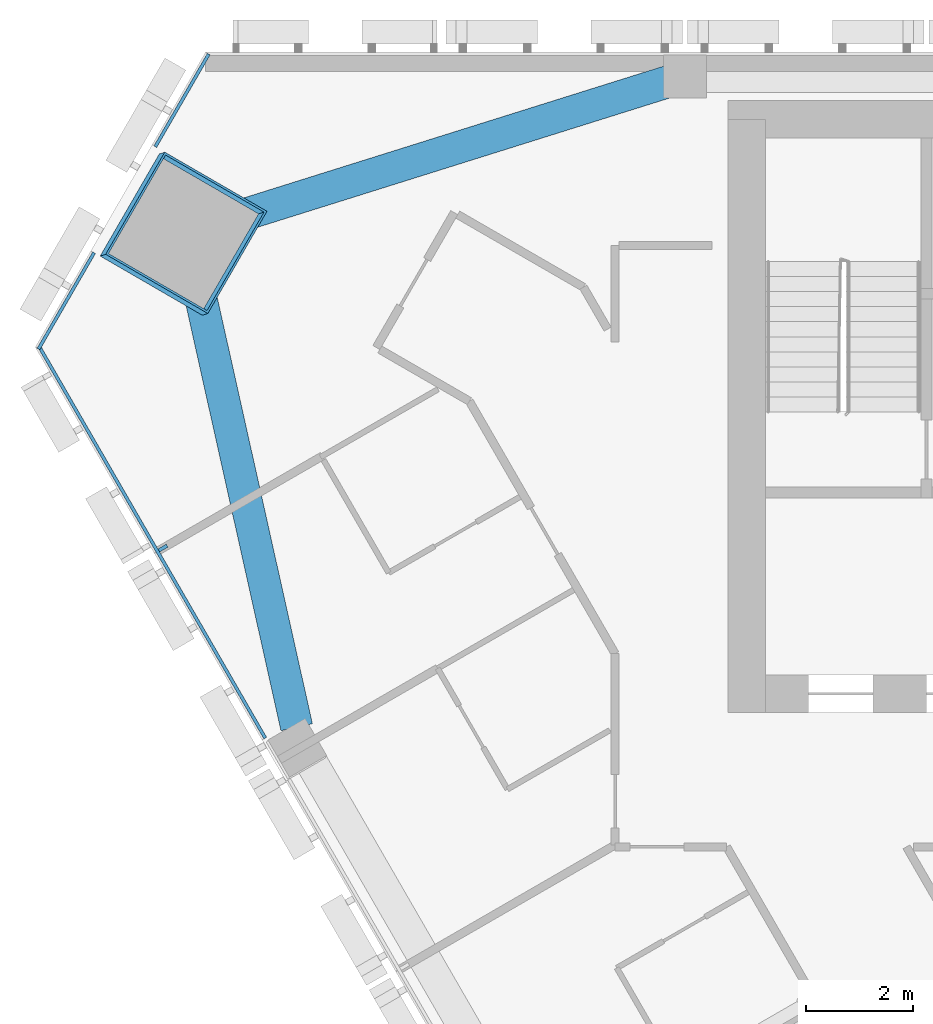
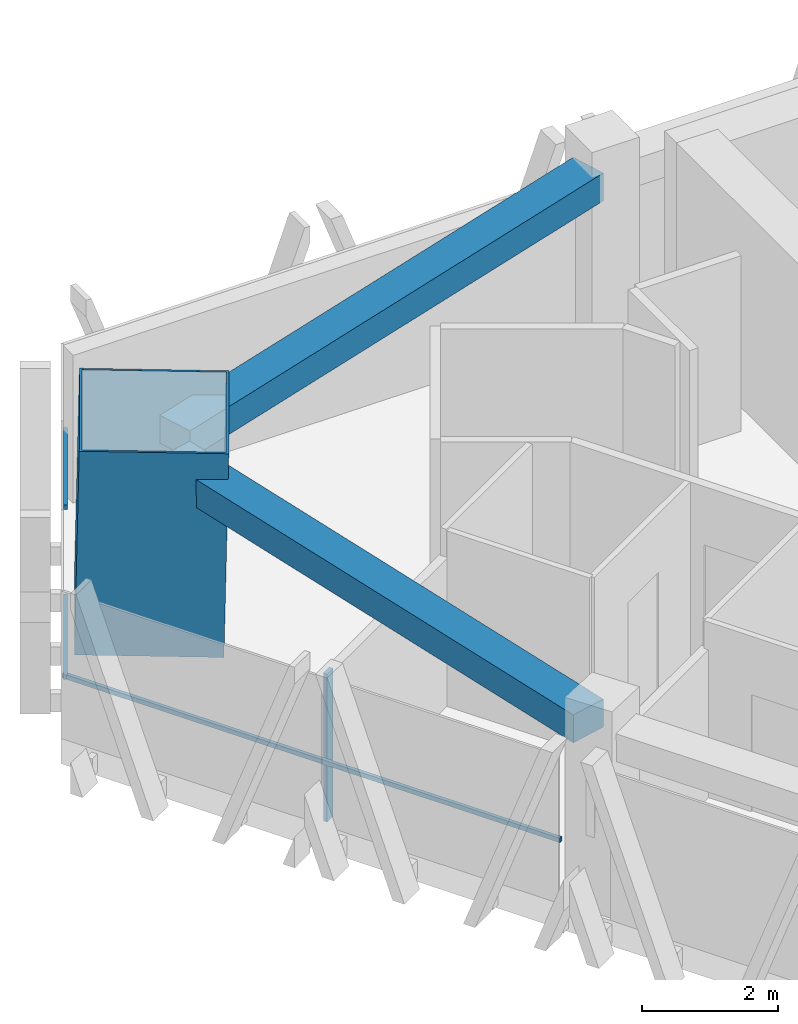
# One storey, part 5 of 16: 5 members, 2 beams, 2 elements without a shape of their own.
"""IFC4 building model written with IfcOpenShell, lengths in metres."""

from ifc_helpers import new_model, si_unit, direction, frame, origin, origin_2d, place, context, subcontext, project, spatial, rectangle, hollow_rectangle, extrude, material, layer, layer_set, material_profile, profile_set, type_object, element, aggregate, save


model = new_model("IFC4")

# Units and contexts
model_context = context("Model", 3, precision=1e-05, world=origin(), true_north=direction((0.0, 1.0)))
body_context = subcontext(model_context, "Body", "Model", "MODEL_VIEW")
ifc_project = project(units=[si_unit("LENGTHUNIT", "METRE"), si_unit("AREAUNIT", "SQUARE_METRE"), si_unit("VOLUMEUNIT", "CUBIC_METRE"), si_unit("PLANEANGLEUNIT", "RADIAN"), si_unit("MASSUNIT", "GRAM", prefix="KILO")], contexts=[model_context])

# Site, building, storey
site_placement = place(None, origin())
site = spatial("IfcSite", under=ifc_project, at=site_placement, CompositionType="ELEMENT")
building_placement = place(site_placement, origin())
building = spatial("IfcBuilding", under=site, at=building_placement, Name="Altiplano Prism Tower", CompositionType="ELEMENT")
storey_placement = place(building_placement, frame((0.0, 0.0, 198.0)))
storey = spatial("IfcBuildingStorey", under=building, at=storey_placement, Name="L51", CompositionType="ELEMENT", Elevation=198.0)

# Curtain wall, member
ifc_material_1 = material(Name="Aluminium and glass", Category="aluminium")
ifc_layer = layer(ifc_material_1, 0.280029296875)
ifc_layer_set = layer_set([ifc_layer], Name="Aluminium and glass")
curtain_wall_type = type_object("IfcCurtainWallType", Name="CW1 typical co-living unitised curtain wall", PredefinedType="NOTDEFINED", material=ifc_layer_set)
curtain_wall_1_placement = place(storey_placement, origin())
curtain_wall_1 = element("IfcCurtainWall", 1, at=curtain_wall_1_placement, inside=storey, type_object=curtain_wall_type, Name="CW1 curtain wall south-west face L51", PredefinedType="NOTDEFINED")
ifc_material_2 = material(Name="Aluminium", Category="aluminium")
ifc_material_profile_1 = material_profile(ifc_material_2, rectangle(XDim=0.179931640625, YDim=0.06494140625, at=origin_2d()), Name="CW1 mullion 65 x 180")
ifc_profile_set_1 = profile_set([ifc_material_profile_1], Name="Aluminium")
member_type_1 = type_object("IfcMemberType", Name="CW1 mullion 65 x 180", PredefinedType="MULLION", material=ifc_profile_set_1)
member_1_placement = place(storey_placement, frame((61.777587890625, 95.764404296875, 0.0), z_axis=(0.0, 0.0, 1.0), x_axis=(0.86602540909, 0.49999999081, 0.0)))
member_1 = element("IfcMember", 2, at=member_1_placement, type_object=member_type_1, Name="CW1 mullion", PredefinedType="MULLION", context=body_context, shape_type="SweptSolid", body=[
    extrude(rectangle(XDim=0.179931640625, YDim=0.06494140625, at=origin_2d()), origin(), (0.0, 0.0, 1.0), 2.64990234375),
])

# Curtain wall, members
curtain_wall_2_placement = place(storey_placement, origin())
curtain_wall_2 = element("IfcCurtainWall", 3, at=curtain_wall_2_placement, inside=storey, type_object=curtain_wall_type, Name="CW1 curtain wall north-west chamfer L51", PredefinedType="NOTDEFINED")
ifc_material_profile_2 = material_profile(ifc_material_2, rectangle(XDim=0.06005859375, YDim=0.080078125, at=origin_2d()), Name="CW1 transom 80 x 60")
ifc_profile_set_2 = profile_set([ifc_material_profile_2], Name="Aluminium")
member_type_2 = type_object("IfcMemberType", Name="CW1 transom 80 x 60", PredefinedType="USERDEFINED", material=ifc_profile_set_2)
member_2_placement = place(storey_placement, frame((62.63037109375, 104.965087890625, 1.10009765625), z_axis=(-0.499948796774, -0.866054963963, 0.0), x_axis=(0.866054963963, -0.499948796774, 0.0)))
member_2 = element("IfcMember", 4, at=member_2_placement, type_object=member_type_2, Name="CW1 transom", ObjectType="TRANSOM", PredefinedType="USERDEFINED", context=body_context, shape_type="SweptSolid", body=[
    extrude(rectangle(XDim=0.06005859375, YDim=0.080078125, at=origin_2d()), origin(), (0.0, 0.0, 1.0), 1.991943359375),
])
member_3_placement = place(storey_placement, frame((60.49462890625, 101.265380859375, 1.10009765625), z_axis=(-0.500042020036, -0.866001142146, 0.0), x_axis=(0.866001142146, -0.500042020036, 0.0)))
member_3 = element("IfcMember", 5, at=member_3_placement, type_object=member_type_2, Name="CW1 transom", ObjectType="TRANSOM", PredefinedType="USERDEFINED", context=body_context, shape_type="SweptSolid", body=[
    extrude(rectangle(XDim=0.06005859375, YDim=0.080078125, at=origin_2d()), origin(), (0.0, 0.0, 1.0), 2.072021484375),
])
aggregate(curtain_wall_2, [member_2, member_3])

# Member
member_4_placement = place(storey_placement, frame((59.45849609375, 99.541015625, 1.10009765625), z_axis=(0.500007547564, -0.866021046153, 0.0), x_axis=(0.866021046153, 0.500007547564, 0.0)))
member_4 = element("IfcMember", 6, at=member_4_placement, type_object=member_type_2, Name="CW1 transom", ObjectType="TRANSOM", PredefinedType="USERDEFINED", context=body_context, shape_type="SweptSolid", body=[
    extrude(rectangle(XDim=0.06005859375, YDim=0.080078125, at=origin_2d()), origin(), (0.0, 0.0, 1.0), 8.450439453125),
])

aggregate(curtain_wall_1, [member_1, member_4])

# Beams
ifc_material_3 = material(Name="Concrete C60/75", Category="concrete")
ifc_material_profile_3 = material_profile(ifc_material_3, rectangle(XDim=0.60009765625, YDim=0.5, at=origin_2d()), Name="Edge beam 600x500")
ifc_profile_set_3 = profile_set([ifc_material_profile_3], Name="Concrete C60/75")
beam_type = type_object("IfcBeamType", Name="Edge beam 600x500", PredefinedType="SPANDREL", material=ifc_profile_set_3)
beam_1_placement = place(storey_placement, frame((71.214599609375, 104.46044921875, 2.89990234375), z_axis=(-0.954152574099, -0.299320673091, 0.0), x_axis=(0.299320673091, -0.954152574099, 0.0)))
element("IfcBeam", 7, at=beam_1_placement, inside=storey, type_object=beam_type, Name="Edge beam P04-M0 L52", PredefinedType="SPANDREL", context=body_context, shape_type="SweptSolid", body=[
    extrude(rectangle(XDim=0.60009765625, YDim=0.5, at=origin_2d()), origin(), (0.0, 0.0, 1.0), 8.985107421875),
])
beam_2_placement = place(storey_placement, frame((62.31005859375, 101.197021484375, 2.89990234375), z_axis=(0.217868284923, -0.975978181326, 0.0), x_axis=(0.975978181326, 0.217868284923, 0.0)))
element("IfcBeam", 8, at=beam_2_placement, inside=storey, type_object=beam_type, Name="Edge beam M0-P11 L52", PredefinedType="SPANDREL", context=body_context, shape_type="SweptSolid", body=[
    extrude(rectangle(XDim=0.60009765625, YDim=0.5, at=origin_2d()), origin(), (0.0, 0.0, 1.0), 8.98486328125),
])

# Member
ifc_material_4 = material(Name="Steel S460", Category="steel")
ifc_material_profile_4 = material_profile(ifc_material_4, hollow_rectangle(XDim=2.199951171875, YDim=2.199951171875, WallThickness=0.0400390625, at=origin_2d()), Name="Mega column tube 2200")
ifc_profile_set_4 = profile_set([ifc_material_profile_4], Name="Steel S460")
member_type_3 = type_object("IfcMemberType", Name="Mega column tube 2200", PredefinedType="POST", material=ifc_profile_set_4)
member_5_placement = place(storey_placement, frame((62.109619140625, 101.60302734375, 0.0), z_axis=(0.028401814599, 0.009218727412, 0.999554076572), x_axis=(-0.865125961523, 0.50115732909, 0.019960014995)))
element("IfcMember", 9, at=member_5_placement, inside=storey, type_object=member_type_3, Name="Mega column tube M0 L51", PredefinedType="POST", context=body_context, shape_type="SweptSolid", body=[
    extrude(hollow_rectangle(XDim=2.199951171875, YDim=2.199951171875, WallThickness=0.0400390625, at=origin_2d()), origin(), (0.0, 0.0, 1.0), 3.601806640625),
])

save(model, "model.ifc")
